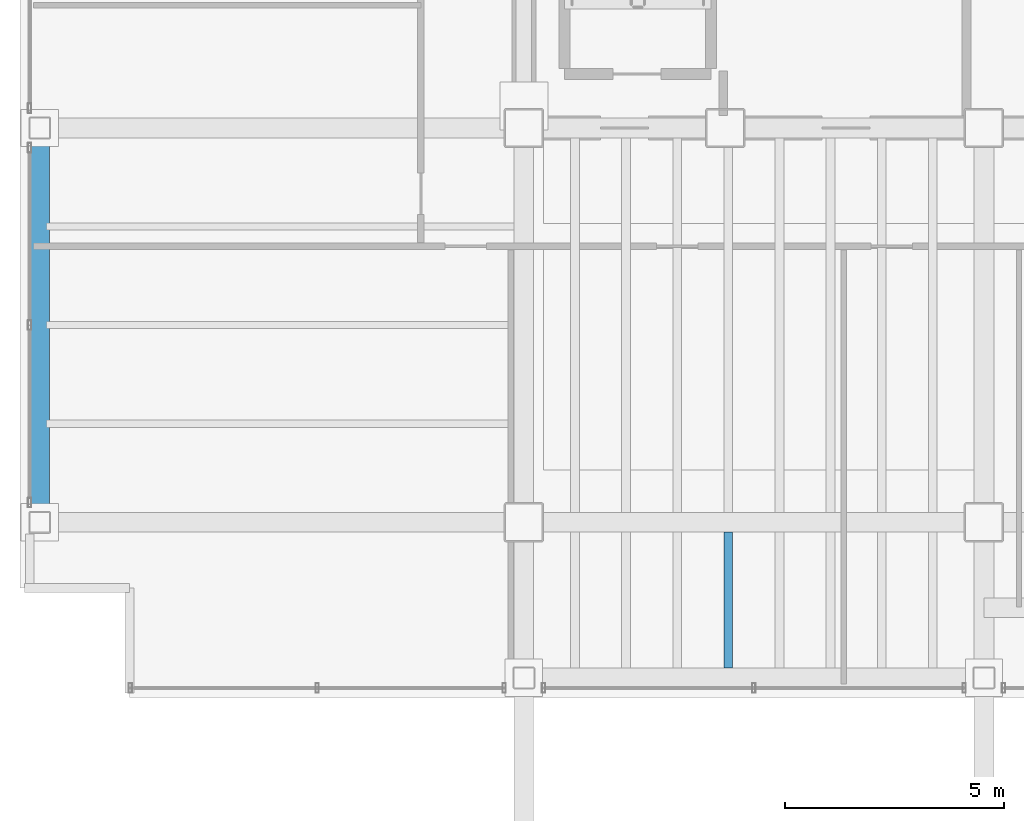
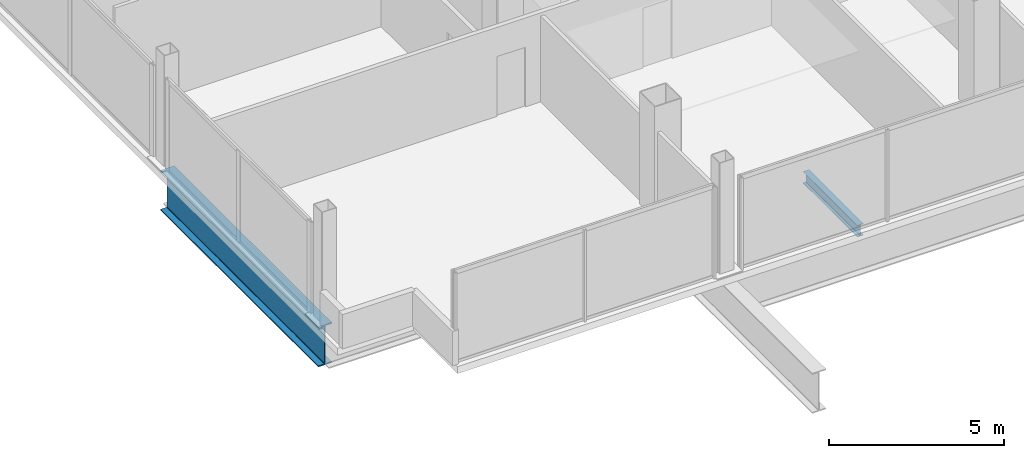
# One storey, part 3 of 24: 2 beams.
"""IFC4 building model written with IfcOpenShell, lengths in metres."""

from ifc_helpers import new_model, si_unit, direction, frame, origin, origin_2d, place, context, subcontext, project, spatial, i_section, extrude, material, material_profile, profile_set, type_object, element, save


model = new_model("IFC4")

# Units and contexts
model_context = context("Model", 3, precision=1e-05, world=origin(), true_north=direction((0.0, 1.0)))
body_context = subcontext(model_context, "Body", "Model", "MODEL_VIEW")
ifc_project = project(units=[si_unit("LENGTHUNIT", "METRE"), si_unit("AREAUNIT", "SQUARE_METRE"), si_unit("VOLUMEUNIT", "CUBIC_METRE"), si_unit("PLANEANGLEUNIT", "RADIAN"), si_unit("MASSUNIT", "GRAM", prefix="KILO")], contexts=[model_context])

# Site, building, storey
site_placement = place(None, origin())
site = spatial("IfcSite", under=ifc_project, at=site_placement, CompositionType="ELEMENT")
building_placement = place(site_placement, origin())
building = spatial("IfcBuilding", under=site, at=building_placement, Name="Noeulbin Bourse Tower", CompositionType="ELEMENT")
storey_placement = place(building_placement, frame((0.0, 0.0, 142.199951171875)))
storey = spatial("IfcBuildingStorey", under=building, at=storey_placement, Name="L35", CompositionType="ELEMENT", Elevation=142.199951171875)

# Beams
ifc_material_1 = material(Name="Steel S355", Category="steel")
ifc_material_profile_1 = material_profile(ifc_material_1, i_section(OverallWidth=0.199951171875, OverallDepth=0.39990234375, WebThickness=0.008056640625, FlangeThickness=0.012939453125, FilletRadius=0.01611328125, at=origin_2d()), Name="H-400x200x8x13", Category="LoadBearing")
ifc_profile_set_1 = profile_set([ifc_material_profile_1], Name="Steel S355")
beam_type_1 = type_object("IfcBeamType", Name="BM-SEC-400", PredefinedType="BEAM", material=ifc_profile_set_1)
beam_1_placement = place(storey_placement, frame((18.166748046875, 16.675048828125, -0.43994140625), z_axis=(0.0, 1.0, 0.0), x_axis=(-1.0, 0.0, 0.0)))
element("IfcBeam", 1, at=beam_1_placement, inside=storey, type_object=beam_type_1, Name="Tower Composite Joist L35-10", PredefinedType="BEAM", context=body_context, shape_type="SweptSolid", body=[
    extrude(i_section(OverallWidth=0.199951171875, OverallDepth=0.39990234375, WebThickness=0.008056640625, FlangeThickness=0.012939453125, FilletRadius=0.01611328125, at=origin_2d()), origin(), (0.0, 0.0, 1.0), 3.099853515625),
])
ifc_material_2 = material(Name="Steel S460", Category="steel")
ifc_material_profile_2 = material_profile(ifc_material_2, i_section(OverallWidth=0.449951171875, OverallDepth=1.39990234375, WebThickness=0.02392578125, FlangeThickness=0.0400390625, FilletRadius=0.02392578125, at=origin_2d()), Name="PG-1400x450x24x40", Category="LoadBearing")
ifc_profile_set_2 = profile_set([ifc_material_profile_2], Name="Steel S460")
beam_type_2 = type_object("IfcBeamType", Name="BM-TRF-1400", PredefinedType="USERDEFINED", material=ifc_profile_set_2)
beam_2_placement = place(storey_placement, frame((2.449951171875, 20.0, -0.93994140625), z_axis=(0.0, 1.0, 0.0), x_axis=(-1.0, 0.0, 0.0)))
element("IfcBeam", 2, at=beam_2_placement, inside=storey, type_object=beam_type_2, Name="West Spandrel L35-1", ObjectType="GIRDER", PredefinedType="USERDEFINED", context=body_context, shape_type="SweptSolid", body=[
    extrude(i_section(OverallWidth=0.449951171875, OverallDepth=1.39990234375, WebThickness=0.02392578125, FlangeThickness=0.0400390625, FilletRadius=0.02392578125, at=origin_2d()), origin(), (0.0, 0.0, 1.0), 9.0),
])

save(model, "model.ifc")
